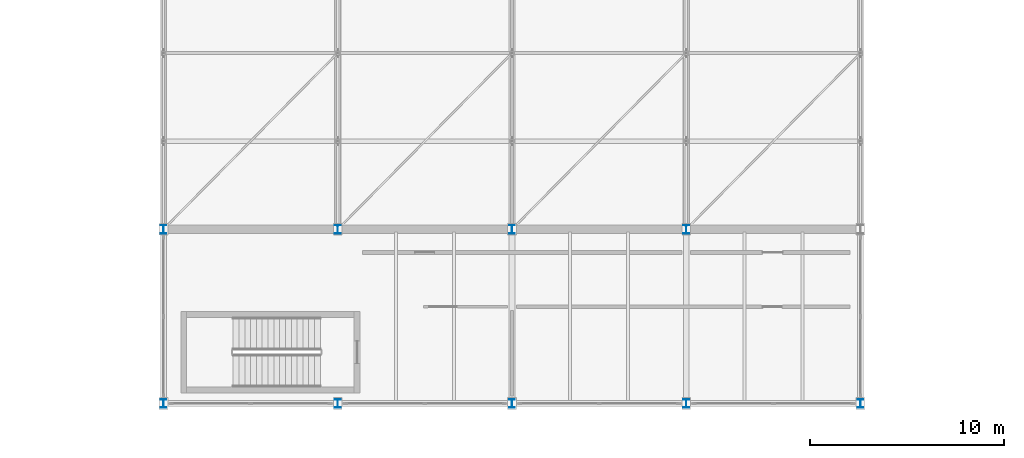
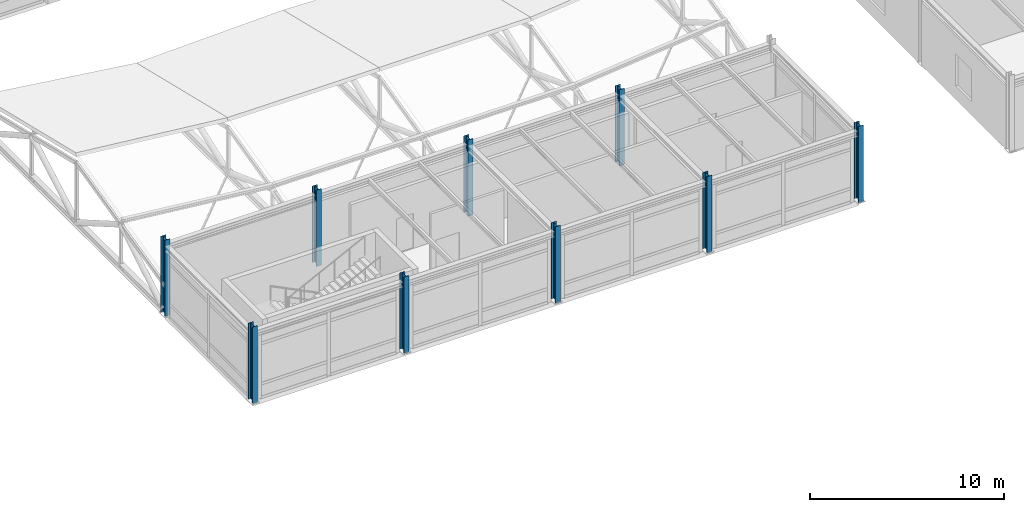
# One storey, part 3 of 90: 9 columns.
"""IFC4 building model written with IfcOpenShell, lengths in metres."""

from ifc_helpers import new_model, si_unit, direction, frame, origin, origin_2d, place, context, subcontext, project, spatial, i_section, extrude, material, material_profile, profile_set, type_object, element, save


model = new_model("IFC4")

# Units and contexts
model_context = context("Model", 3, precision=1e-05, world=origin(), true_north=direction((0.0, 1.0)))
body_context = subcontext(model_context, "Body", "Model", "MODEL_VIEW")
ifc_project = project(units=[si_unit("LENGTHUNIT", "METRE"), si_unit("AREAUNIT", "SQUARE_METRE"), si_unit("VOLUMEUNIT", "CUBIC_METRE"), si_unit("PLANEANGLEUNIT", "RADIAN"), si_unit("MASSUNIT", "GRAM", prefix="KILO")], contexts=[model_context])

# Site, building, storey
site_placement = place(None, origin())
site = spatial("IfcSite", under=ifc_project, at=site_placement, CompositionType="ELEMENT")
building_placement = place(site_placement, origin())
building = spatial("IfcBuilding", under=site, at=building_placement, Name="Bozkorgan Art Gallery", CompositionType="ELEMENT")
storey_placement = place(building_placement, frame((0.0, 0.0, 5.39990234375)))
storey = spatial("IfcBuildingStorey", under=building, at=storey_placement, Name="L01", CompositionType="ELEMENT", Elevation=5.39990234375)

# Columns
ifc_material = material(Name="Steel S355J2", Category="steel")
ifc_material_profile = material_profile(ifc_material, i_section(OverallWidth=0.300048828125, OverallDepth=0.43994140625, WebThickness=0.011474609375, FlangeThickness=0.02099609375, FilletRadius=0.027099609375, at=origin_2d()), Name="HEA 450")
ifc_profile_set = profile_set([ifc_material_profile], Name="Steel S355J2")
column_type = type_object("IfcColumnType", Name="COLUMN-C-05", PredefinedType="COLUMN", material=ifc_profile_set)
for number, where, z_axis, x_axis, name in (
    (1, (83.0, 2.0, 0.0), (0.0, 0.0, 1.0), (1.0, 0.0, 0.0), "V3 L01 column (83.0, 2.0)"),
    (2, (83.0, 11.0, 0.0), (0.0, 0.0, 1.0), (1.0, 0.0, 0.0), "V3 L01 column (83.0, 11.0)"),
    (3, (92.0, 2.0, 0.0), (0.0, 0.0, 1.0), (1.0, 0.0, 0.0), "V3 L01 column (92.0, 2.0)"),
    (4, (92.0, 11.0, 0.0), (0.0, 0.0, 1.0), (1.0, 0.0, 0.0), "V3 L01 column (92.0, 11.0)"),
    (5, (101.0, 2.0, 0.0), (0.0, 0.0, 1.0), (1.0, 0.0, 0.0), "V3 L01 column (101.0, 2.0)"),
    (6, (101.0, 11.0, 0.0), (0.0, 0.0, 1.0), (1.0, 0.0, 0.0), "V3 L01 column (101.0, 11.0)"),
    (7, (110.0, 2.0, 0.0), (0.0, 0.0, 1.0), (1.0, 0.0, 0.0), "V3 L01 column (110.0, 2.0)"),
    (8, (110.0, 11.0, 0.0), (0.0, 0.0, 1.0), (1.0, 0.0, 0.0), "V3 L01 column (110.0, 11.0)"),
    (9, (119.0, 2.0, 0.0), (0.0, 0.0, 1.0), (1.0, 0.0, 0.0), "V3 L01 column (119.0, 2.0)"),
):
    element("IfcColumn", number, at=place(storey_placement, frame(where, z_axis=z_axis, x_axis=x_axis)), inside=storey, type_object=column_type, Name=name, PredefinedType="COLUMN", context=body_context, shape_type="SweptSolid", body=[
        extrude(i_section(OverallWidth=0.300048828125, OverallDepth=0.43994140625, WebThickness=0.011474609375, FlangeThickness=0.02099609375, FilletRadius=0.027099609375, at=origin_2d()), origin(), (0.0, 0.0, 1.0), 4.800048828125),
    ])

save(model, "model.ifc")
